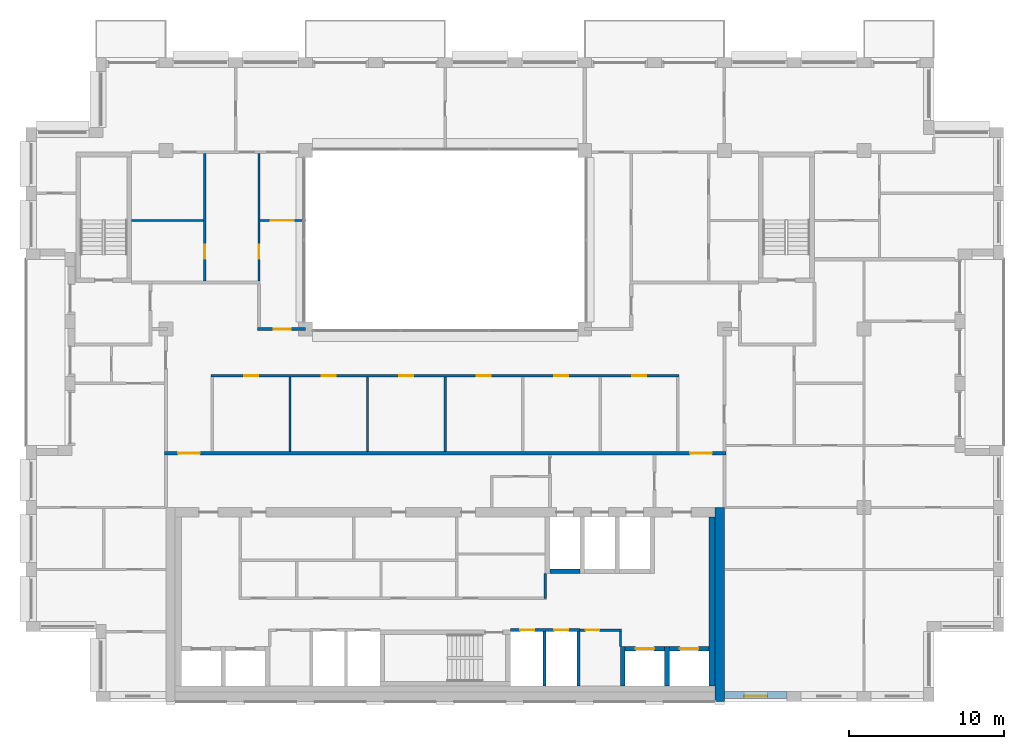
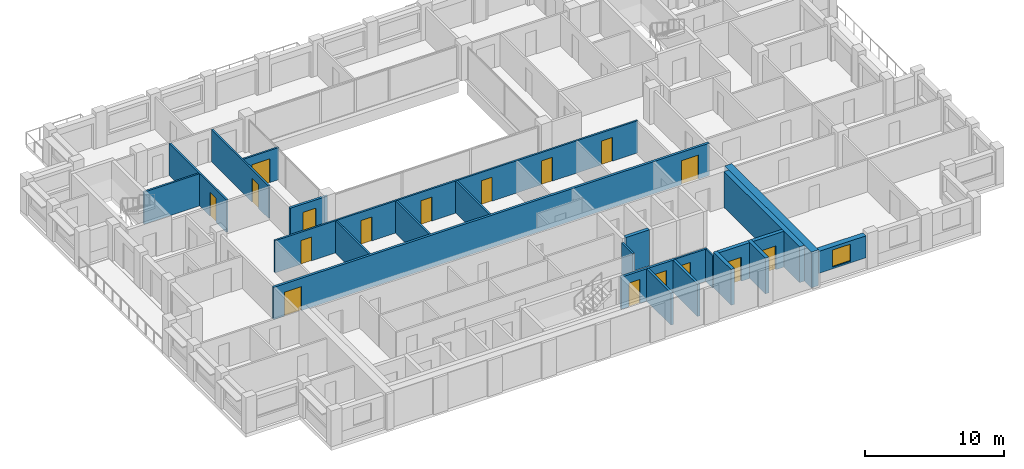
# One storey, part 10 of 15: 24 walls, 17 doors, 1 window, 18 openings.
"""IFC4 building model written with IfcOpenShell, lengths in metres."""

from ifc_helpers import new_model, si_unit, direction, frame, frame_2d, origin, place, context, subcontext, project, spatial, rectangle, extrude, material, layer, layer_set, type_object, element, fill, save


model = new_model("IFC4")

# Units and contexts
model_context = context("Model", 3, precision=1e-05, world=origin(), true_north=direction((0.0, 1.0)))
body_context = subcontext(model_context, "Body", "Model", "MODEL_VIEW")
ifc_project = project(units=[si_unit("LENGTHUNIT", "METRE"), si_unit("AREAUNIT", "SQUARE_METRE"), si_unit("VOLUMEUNIT", "CUBIC_METRE"), si_unit("PLANEANGLEUNIT", "RADIAN"), si_unit("MASSUNIT", "GRAM", prefix="KILO")], contexts=[model_context])

# Site, building, storey
site_placement = place(None, origin())
site = spatial("IfcSite", under=ifc_project, at=site_placement, CompositionType="ELEMENT")
building_placement = place(site_placement, origin())
building = spatial("IfcBuilding", under=site, at=building_placement, Name="Brigalow Station Residences", CompositionType="ELEMENT")
storey_placement = place(building_placement, frame((0.0, 0.0, 213.75)))
storey = spatial("IfcBuildingStorey", under=building, at=storey_placement, Name="L61", CompositionType="ELEMENT", Elevation=213.75)

# Wall, opening, window
ifc_material_1 = material(Name="Clay brick masonry", Category="masonry")
ifc_layer_1 = layer(ifc_material_1, 0.449951171875)
ifc_layer_set_1 = layer_set([ifc_layer_1], Name="BRICK INFILL WALL 450")
wall_type_1 = type_object("IfcWallType", Name="BRICK INFILL WALL 450", PredefinedType="SOLIDWALL", material=ifc_layer_set_1)
wall_1_placement = place(storey_placement, frame((54.0, 0.425048828125, 0.89990234375), z_axis=(0.0, 0.0, 1.0), x_axis=(1.0, 0.0, 0.0)))
wall_1 = element("IfcWall", 1, at=wall_1_placement, inside=storey, type_object=wall_type_1, Name="L61/ewall/W-L61-3", PredefinedType="SOLIDWALL", context=body_context, shape_type="SweptSolid", body=[
    extrude(rectangle(XDim=4.050048828125, YDim=0.449951171875, at=frame_2d((2.02490234375, 0.0))), origin(), (0.0, 0.0, 1.0), 1.93017578125),
])
opening_1_placement = place(wall_1_placement, frame((1.27490234375, 0.0, 0.14990234375)))
opening_1 = element("IfcOpeningElement", 2, at=opening_1_placement, cuts=wall_1, Name="Opening WT-1", PredefinedType="OPENING", context=body_context, shape_type="SweptSolid", body=[
    extrude(rectangle(XDim=1.5, YDim=1.5, at=frame_2d((0.75, 0.75))), frame((0.0, 0.23486328125, 0.0), z_axis=(0.0, -1.0, 0.0), x_axis=(1.0, 0.0, 0.0)), (0.0, 0.0, 1.0), 0.469970703125),
])
ifc_material_2 = material(Name="Anodised aluminium frame with double glazing", Category="aluminium")
window_type = type_object("IfcWindowType", Name="WINDOW 1500x1500", PartitioningType="SINGLE_PANEL", PredefinedType="WINDOW", material=ifc_material_2)
window_placement = place(opening_1_placement, origin())
window = element("IfcWindow", 3, at=window_placement, inside=storey, type_object=window_type, Name="L61/window/W-L61-3", OverallHeight=1.5, OverallWidth=1.5, PartitioningType="SINGLE_PANEL", PredefinedType="WINDOW", context=body_context, shape_type="SweptSolid", body=[
    extrude(rectangle(XDim=1.5, YDim=1.5, at=frame_2d((0.75, 0.75))), frame((0.0, -0.06494140625, 0.0), z_axis=(0.0, -1.0, 0.0), x_axis=(1.0, 0.0, 0.0)), (0.0, 0.0, 1.0), 0.06005859375),
])
fill(opening_1, window)

# Wall
ifc_material_3 = material(Name="Concrete C50", Category="concrete")
ifc_layer_2 = layer(ifc_material_3, 0.300048828125)
ifc_layer_set_2 = layer_set([ifc_layer_2], Name="CORE SHEAR WALL 300 C50")
wall_type_2 = type_object("IfcWallType", Name="CORE SHEAR WALL 300 C50", PredefinedType="SHEAR", material=ifc_layer_set_2)
wall_2_placement = place(storey_placement, frame((42.75, 8.39990234375, 0.0), z_axis=(0.0, 0.0, 1.0), x_axis=(1.0, 0.0, 0.0)))
element("IfcWall", 4, at=wall_2_placement, inside=storey, type_object=wall_type_2, Name="CORE WALL SH-FF1-S L61", PredefinedType="SHEAR", context=body_context, shape_type="SweptSolid", body=[
    extrude(rectangle(XDim=1.949951171875, YDim=0.300048828125, at=frame_2d((0.97509765625, 0.0))), origin(), (0.0, 0.0, 1.0), 3.14990234375),
])

# Wall, opening, door
wall_3_placement = place(storey_placement, frame((47.60009765625, 3.39990234375, 0.0), z_axis=(0.0, 0.0, 1.0), x_axis=(1.0, 0.0, 0.0)))
wall_3 = element("IfcWall", 5, at=wall_3_placement, inside=storey, type_object=wall_type_2, Name="CORE WALL SH-C3-N L61", PredefinedType="SHEAR", context=body_context, shape_type="SweptSolid", body=[
    extrude(rectangle(XDim=2.5498046875, YDim=0.300048828125, at=frame_2d((1.27490234375, 0.0))), origin(), (0.0, 0.0, 1.0), 3.14990234375),
])
opening_2_placement = place(wall_3_placement, frame((0.675048828125, 0.0, 0.0)))
opening_2 = element("IfcOpeningElement", 6, at=opening_2_placement, cuts=wall_3, Name="Opening LD-LB3", PredefinedType="OPENING", context=body_context, shape_type="SweptSolid", body=[
    extrude(rectangle(XDim=1.199951171875, YDim=2.10009765625, at=frame_2d((0.60009765625, 1.050048828125))), frame((0.0, 0.16015625, 0.0), z_axis=(0.0, -1.0, 0.0), x_axis=(1.0, 0.0, 0.0)), (0.0, 0.0, 1.0), 0.320068359375),
])
ifc_material_4 = material(Name="Stainless steel sliding door leaves", Category="steel")
door_type_1 = type_object("IfcDoorType", Name="LIFT LANDING DOOR 1200 x 2100", OperationType="DOUBLE_DOOR_SLIDING", PredefinedType="DOOR", material=ifc_material_4)
door_1_placement = place(opening_2_placement, origin())
door_1 = element("IfcDoor", 7, at=door_1_placement, inside=storey, type_object=door_type_1, Name="LANDING DOOR LB3", OperationType="DOUBLE_DOOR_SLIDING", OverallHeight=2.10009765625, OverallWidth=1.199951171875, PredefinedType="DOOR", context=body_context, shape_type="SweptSolid", body=[
    extrude(rectangle(XDim=1.199951171875, YDim=2.10009765625, at=frame_2d((0.60009765625, 1.050048828125))), frame((0.0, 0.02490234375, 0.0), z_axis=(0.0, -1.0, 0.0), x_axis=(1.0, 0.0, 0.0)), (0.0, 0.0, 1.0), 0.050048828125),
])
fill(opening_2, door_1)

# Wall
wall_4_placement = place(storey_placement, frame((47.449951171875, 1.0, 0.0), z_axis=(0.0, 0.0, 1.0), x_axis=(0.0, 1.0, 0.0)))
element("IfcWall", 8, at=wall_4_placement, inside=storey, type_object=wall_type_2, Name="CORE WALL SH-C3-W L61", PredefinedType="SHEAR", context=body_context, shape_type="SweptSolid", body=[
    extrude(rectangle(XDim=2.550048828125, YDim=0.300048828125, at=frame_2d((1.27490234375, 0.0))), origin(), (0.0, 0.0, 1.0), 3.14990234375),
])

# Wall, opening, door
wall_5_placement = place(storey_placement, frame((50.449951171875, 3.39990234375, 0.0), z_axis=(0.0, 0.0, 1.0), x_axis=(1.0, 0.0, 0.0)))
wall_5 = element("IfcWall", 9, at=wall_5_placement, inside=storey, type_object=wall_type_2, Name="CORE WALL SH-C4-N L61", PredefinedType="SHEAR", context=body_context, shape_type="SweptSolid", body=[
    extrude(rectangle(XDim=2.550048828125, YDim=0.300048828125, at=frame_2d((1.27490234375, 0.0))), origin(), (0.0, 0.0, 1.0), 3.14990234375),
])
opening_3_placement = place(wall_5_placement, frame((0.675048828125, 0.0, 0.0)))
opening_3 = element("IfcOpeningElement", 10, at=opening_3_placement, cuts=wall_5, Name="Opening LD-LB4", PredefinedType="OPENING", context=body_context, shape_type="SweptSolid", body=[
    extrude(rectangle(XDim=1.199951171875, YDim=2.10009765625, at=frame_2d((0.60009765625, 1.050048828125))), frame((0.0, 0.16015625, 0.0), z_axis=(0.0, -1.0, 0.0), x_axis=(1.0, 0.0, 0.0)), (0.0, 0.0, 1.0), 0.320068359375),
])
door_2_placement = place(opening_3_placement, origin())
door_2 = element("IfcDoor", 11, at=door_2_placement, inside=storey, type_object=door_type_1, Name="LANDING DOOR LB4", OperationType="DOUBLE_DOOR_SLIDING", OverallHeight=2.10009765625, OverallWidth=1.199951171875, PredefinedType="DOOR", context=body_context, shape_type="SweptSolid", body=[
    extrude(rectangle(XDim=1.199951171875, YDim=2.10009765625, at=frame_2d((0.60009765625, 1.050048828125))), frame((0.0, 0.02490234375, 0.0), z_axis=(0.0, -1.0, 0.0), x_axis=(1.0, 0.0, 0.0)), (0.0, 0.0, 1.0), 0.050048828125),
])
fill(opening_3, door_2)

# Walls
wall_6_placement = place(storey_placement, frame((50.300048828125, 1.0, 0.0), z_axis=(0.0, 0.0, 1.0), x_axis=(0.0, 1.0, 0.0)))
element("IfcWall", 12, at=wall_6_placement, inside=storey, type_object=wall_type_2, Name="CORE WALL SH-C4-W L61", PredefinedType="SHEAR", context=body_context, shape_type="SweptSolid", body=[
    extrude(rectangle(XDim=2.550048828125, YDim=0.300048828125, at=frame_2d((1.27490234375, 0.0))), origin(), (0.0, 0.0, 1.0), 3.14990234375),
])
ifc_material_5 = material(Name="Concrete C50", Category="concrete")
ifc_layer_3 = layer(ifc_material_5, 0.39990234375)
ifc_layer_set_3 = layer_set([ifc_layer_3], Name="CORE SHEAR WALL 400 C50")
wall_type_3 = type_object("IfcWallType", Name="CORE SHEAR WALL 400 C50", PredefinedType="SHEAR", material=ifc_layer_set_3)
wall_7_placement = place(storey_placement, frame((53.199951171875, 1.0, 0.0), z_axis=(0.0, 0.0, 1.0), x_axis=(0.0, 1.0, 0.0)))
element("IfcWall", 13, at=wall_7_placement, inside=storey, type_object=wall_type_3, Name="CORE WALL LIN-E L61", PredefinedType="SHEAR", context=body_context, shape_type="SweptSolid", body=[
    extrude(rectangle(XDim=10.89990234375, YDim=0.39990234375, at=frame_2d((5.449951171875, 0.0))), origin(), (0.0, 0.0, 1.0), 3.14990234375),
])
ifc_material_6 = material(Name="Concrete C50", Category="concrete")
ifc_layer_4 = layer(ifc_material_6, 0.60009765625)
ifc_layer_set_4 = layer_set([ifc_layer_4], Name="CORE SHEAR WALL 600 C50")
wall_type_4 = type_object("IfcWallType", Name="CORE SHEAR WALL 600 C50", PredefinedType="SHEAR", material=ifc_layer_set_4)
wall_8_placement = place(storey_placement, frame((53.699951171875, 0.0, 0.0), z_axis=(0.0, 0.0, 1.0), x_axis=(0.0, 1.0, 0.0)))
element("IfcWall", 14, at=wall_8_placement, inside=storey, type_object=wall_type_4, Name="CORE WALL OUT-E L61", PredefinedType="SHEAR", context=body_context, shape_type="SweptSolid", body=[
    extrude(rectangle(XDim=12.5, YDim=0.60009765625, at=frame_2d((6.25, 0.0))), origin(), (0.0, 0.0, 1.0), 3.14990234375),
])

# Wall, openings, doors
ifc_material_7 = material(Name="Concrete blockwork", Category="masonry")
ifc_layer_5 = layer(ifc_material_7, 0.199951171875)
ifc_layer_set_5 = layer_set([ifc_layer_5], Name="FIRE RATED CORE PARTITION 200")
wall_type_5 = type_object("IfcWallType", Name="FIRE RATED CORE PARTITION 200", PredefinedType="PARTITIONING", material=ifc_layer_set_5)
wall_9_placement = place(storey_placement, frame((40.199951171875, 4.60009765625, 0.0), z_axis=(0.0, 0.0, 1.0), x_axis=(1.0, 0.0, 0.0)))
wall_9 = element("IfcWall", 15, at=wall_9_placement, inside=storey, type_object=wall_type_5, Name="PW-5018", PredefinedType="PARTITIONING", context=body_context, shape_type="SweptSolid", body=[
    extrude(rectangle(XDim=4.5, YDim=0.199951171875, at=frame_2d((2.25, 0.0))), origin(), (0.0, 0.0, 1.0), 2.830078125),
])
opening_4_placement = place(wall_9_placement, frame((0.64990234375, 0.0, 0.0)))
opening_4 = element("IfcOpeningElement", 16, at=opening_4_placement, cuts=wall_9, Name="Opening D-5009", PredefinedType="OPENING", context=body_context, shape_type="SweptSolid", body=[
    extrude(rectangle(XDim=0.89990234375, YDim=2.10009765625, at=frame_2d((0.449951171875, 1.050048828125))), frame((0.0, 0.10986328125, 0.0), z_axis=(0.0, -1.0, 0.0), x_axis=(1.0, 0.0, 0.0)), (0.0, 0.0, 1.0), 0.219970703125),
])
opening_5_placement = place(wall_9_placement, frame((2.85009765625, 0.0, 0.0)))
opening_5 = element("IfcOpeningElement", 17, at=opening_5_placement, cuts=wall_9, Name="Opening D-5010", PredefinedType="OPENING", context=body_context, shape_type="SweptSolid", body=[
    extrude(rectangle(XDim=0.89990234375, YDim=2.10009765625, at=frame_2d((0.449951171875, 1.050048828125))), frame((0.0, 0.10986328125, 0.0), z_axis=(0.0, -1.0, 0.0), x_axis=(1.0, 0.0, 0.0)), (0.0, 0.0, 1.0), 0.219970703125),
])
ifc_material_8 = material(Name="Steel fire door leaf in steel frame", Category="steel")
door_type_2 = type_object("IfcDoorType", Name="RISER ACCESS DOOR 900 x 2100 FD120", OperationType="SINGLE_SWING_LEFT", PredefinedType="DOOR", material=ifc_material_8)
door_3_placement = place(opening_4_placement, frame((0.89990234375, 0.0, 0.0), z_axis=(0.0, 0.0, 1.0), x_axis=(-1.0, 0.0, 0.0)))
door_3 = element("IfcDoor", 18, at=door_3_placement, inside=storey, type_object=door_type_2, Name="D-5009", OperationType="SINGLE_SWING_LEFT", OverallHeight=2.10009765625, OverallWidth=0.89990234375, PredefinedType="DOOR", context=body_context, shape_type="SweptSolid", body=[
    extrude(rectangle(XDim=0.89990234375, YDim=2.10009765625, at=frame_2d((0.449951171875, 1.050048828125))), frame((0.0, 0.02490234375, 0.0), z_axis=(0.0, -1.0, 0.0), x_axis=(1.0, 0.0, 0.0)), (0.0, 0.0, 1.0), 0.050048828125),
])
fill(opening_4, door_3)
door_4_placement = place(opening_5_placement, frame((0.89990234375, 0.0, 0.0), z_axis=(0.0, 0.0, 1.0), x_axis=(-1.0, 0.0, 0.0)))
door_4 = element("IfcDoor", 19, at=door_4_placement, inside=storey, type_object=door_type_2, Name="D-5010", OperationType="SINGLE_SWING_LEFT", OverallHeight=2.10009765625, OverallWidth=0.89990234375, PredefinedType="DOOR", context=body_context, shape_type="SweptSolid", body=[
    extrude(rectangle(XDim=0.89990234375, YDim=2.10009765625, at=frame_2d((0.449951171875, 1.050048828125))), frame((0.0, 0.02490234375, 0.0), z_axis=(0.0, -1.0, 0.0), x_axis=(1.0, 0.0, 0.0)), (0.0, 0.0, 1.0), 0.050048828125),
])
fill(opening_5, door_4)

# Walls
for number, where, z_axis, x_axis, name in (
    (20, (42.39990234375, 1.0, 0.0), (0.0, 0.0, 1.0), (0.0, 1.0, 0.0), "PW-5007"),
    (21, (44.60009765625, 1.0, 0.0), (0.0, 0.0, 1.0), (0.0, 1.0, 0.0), "PW-5008"),
):
    element("IfcWall", number, at=place(storey_placement, frame(where, z_axis=z_axis, x_axis=x_axis)), inside=storey, type_object=wall_type_5, Name=name, PredefinedType="PARTITIONING", context=body_context, shape_type="SweptSolid", body=[
        extrude(rectangle(XDim=3.5, YDim=0.199951171875, at=frame_2d((1.75, 0.0))), origin(), (0.0, 0.0, 1.0), 2.830078125),
    ])

# Wall, openings, doors
ifc_material_9 = material(Name="Plasterboard on steel stud partition", Category="steel")
ifc_layer_6 = layer(ifc_material_9, 0.14990234375)
ifc_layer_set_6 = layer_set([ifc_layer_6], Name="FLAT PARTITION 150")
wall_type_6 = type_object("IfcWallType", Name="FLAT PARTITION 150", PredefinedType="PARTITIONING", material=ifc_layer_set_6)
wall_10_placement = place(storey_placement, frame((20.925048828125, 21.0, 0.0), z_axis=(0.0, 0.0, 1.0), x_axis=(1.0, 0.0, 0.0)))
wall_10 = element("IfcWall", 22, at=wall_10_placement, inside=storey, type_object=wall_type_6, Name="PW-4B05", PredefinedType="PARTITIONING", context=body_context, shape_type="SweptSolid", body=[
    extrude(rectangle(XDim=30.14990234375, YDim=0.14990234375, at=frame_2d((15.074951171875, 0.0))), origin(), (0.0, 0.0, 1.0), 2.830078125),
])
opening_6_placement = place(wall_10_placement, frame((2.125, 0.0, 0.0)))
opening_6 = element("IfcOpeningElement", 23, at=opening_6_placement, cuts=wall_10, Name="Opening D-4B42", PredefinedType="OPENING", context=body_context, shape_type="SweptSolid", body=[
    extrude(rectangle(XDim=0.89990234375, YDim=2.10009765625, at=frame_2d((0.449951171875, 1.050048828125))), frame((0.0, 0.0849609375, 0.0), z_axis=(0.0, -1.0, 0.0), x_axis=(1.0, 0.0, 0.0)), (0.0, 0.0, 1.0), 0.169921875),
])
opening_7_placement = place(wall_10_placement, frame((7.125, 0.0, 0.0)))
opening_7 = element("IfcOpeningElement", 24, at=opening_7_placement, cuts=wall_10, Name="Opening D-4B43", PredefinedType="OPENING", context=body_context, shape_type="SweptSolid", body=[
    extrude(rectangle(XDim=0.89990234375, YDim=2.10009765625, at=frame_2d((0.449951171875, 1.050048828125))), frame((0.0, 0.0849609375, 0.0), z_axis=(0.0, -1.0, 0.0), x_axis=(1.0, 0.0, 0.0)), (0.0, 0.0, 1.0), 0.169921875),
])
opening_8_placement = place(wall_10_placement, frame((12.125, 0.0, 0.0)))
opening_8 = element("IfcOpeningElement", 25, at=opening_8_placement, cuts=wall_10, Name="Opening D-4B44", PredefinedType="OPENING", context=body_context, shape_type="SweptSolid", body=[
    extrude(rectangle(XDim=0.89990234375, YDim=2.10009765625, at=frame_2d((0.449951171875, 1.050048828125))), frame((0.0, 0.0849609375, 0.0), z_axis=(0.0, -1.0, 0.0), x_axis=(1.0, 0.0, 0.0)), (0.0, 0.0, 1.0), 0.169921875),
])
opening_9_placement = place(wall_10_placement, frame((17.125, 0.0, 0.0)))
opening_9 = element("IfcOpeningElement", 26, at=opening_9_placement, cuts=wall_10, Name="Opening D-4B45", PredefinedType="OPENING", context=body_context, shape_type="SweptSolid", body=[
    extrude(rectangle(XDim=0.89990234375, YDim=2.10009765625, at=frame_2d((0.449951171875, 1.050048828125))), frame((0.0, 0.0849609375, 0.0), z_axis=(0.0, -1.0, 0.0), x_axis=(1.0, 0.0, 0.0)), (0.0, 0.0, 1.0), 0.169921875),
])
opening_10_placement = place(wall_10_placement, frame((22.125, 0.0, 0.0)))
opening_10 = element("IfcOpeningElement", 27, at=opening_10_placement, cuts=wall_10, Name="Opening D-4B46", PredefinedType="OPENING", context=body_context, shape_type="SweptSolid", body=[
    extrude(rectangle(XDim=0.89990234375, YDim=2.10009765625, at=frame_2d((0.449951171875, 1.050048828125))), frame((0.0, 0.0849609375, 0.0), z_axis=(0.0, -1.0, 0.0), x_axis=(1.0, 0.0, 0.0)), (0.0, 0.0, 1.0), 0.169921875),
])
opening_11_placement = place(wall_10_placement, frame((27.125, 0.0, 0.0)))
opening_11 = element("IfcOpeningElement", 28, at=opening_11_placement, cuts=wall_10, Name="Opening D-4B47", PredefinedType="OPENING", context=body_context, shape_type="SweptSolid", body=[
    extrude(rectangle(XDim=0.89990234375, YDim=2.10009765625, at=frame_2d((0.449951171875, 1.050048828125))), frame((0.0, 0.0849609375, 0.0), z_axis=(0.0, -1.0, 0.0), x_axis=(1.0, 0.0, 0.0)), (0.0, 0.0, 1.0), 0.169921875),
])
ifc_material_10 = material(Name="Solid-core timber door leaf", Category="wood")
door_type_3 = type_object("IfcDoorType", Name="INTERNAL DOOR 900 x 2100", OperationType="SINGLE_SWING_LEFT", PredefinedType="DOOR", material=ifc_material_10)
door_5_placement = place(opening_6_placement, frame((0.89990234375, 0.0, 0.0), z_axis=(0.0, 0.0, 1.0), x_axis=(-1.0, 0.0, 0.0)))
door_5 = element("IfcDoor", 29, at=door_5_placement, inside=storey, type_object=door_type_3, Name="D-4B42", OperationType="SINGLE_SWING_LEFT", OverallHeight=2.10009765625, OverallWidth=0.89990234375, PredefinedType="DOOR", context=body_context, shape_type="SweptSolid", body=[
    extrude(rectangle(XDim=0.89990234375, YDim=2.10009765625, at=frame_2d((0.449951171875, 1.050048828125))), frame((0.0, 0.02490234375, 0.0), z_axis=(0.0, -1.0, 0.0), x_axis=(1.0, 0.0, 0.0)), (0.0, 0.0, 1.0), 0.050048828125),
])
fill(opening_6, door_5)
door_6_placement = place(opening_7_placement, frame((0.89990234375, 0.0, 0.0), z_axis=(0.0, 0.0, 1.0), x_axis=(-1.0, 0.0, 0.0)))
door_6 = element("IfcDoor", 30, at=door_6_placement, inside=storey, type_object=door_type_3, Name="D-4B43", OperationType="SINGLE_SWING_LEFT", OverallHeight=2.10009765625, OverallWidth=0.89990234375, PredefinedType="DOOR", context=body_context, shape_type="SweptSolid", body=[
    extrude(rectangle(XDim=0.89990234375, YDim=2.10009765625, at=frame_2d((0.449951171875, 1.050048828125))), frame((0.0, 0.02490234375, 0.0), z_axis=(0.0, -1.0, 0.0), x_axis=(1.0, 0.0, 0.0)), (0.0, 0.0, 1.0), 0.050048828125),
])
fill(opening_7, door_6)
door_7_placement = place(opening_8_placement, frame((0.89990234375, 0.0, 0.0), z_axis=(0.0, 0.0, 1.0), x_axis=(-1.0, 0.0, 0.0)))
door_7 = element("IfcDoor", 31, at=door_7_placement, inside=storey, type_object=door_type_3, Name="D-4B44", OperationType="SINGLE_SWING_LEFT", OverallHeight=2.10009765625, OverallWidth=0.89990234375, PredefinedType="DOOR", context=body_context, shape_type="SweptSolid", body=[
    extrude(rectangle(XDim=0.89990234375, YDim=2.10009765625, at=frame_2d((0.449951171875, 1.050048828125))), frame((0.0, 0.02490234375, 0.0), z_axis=(0.0, -1.0, 0.0), x_axis=(1.0, 0.0, 0.0)), (0.0, 0.0, 1.0), 0.050048828125),
])
fill(opening_8, door_7)
door_8_placement = place(opening_9_placement, frame((0.89990234375, 0.0, 0.0), z_axis=(0.0, 0.0, 1.0), x_axis=(-1.0, 0.0, 0.0)))
door_8 = element("IfcDoor", 32, at=door_8_placement, inside=storey, type_object=door_type_3, Name="D-4B45", OperationType="SINGLE_SWING_RIGHT", OverallHeight=2.10009765625, OverallWidth=0.89990234375, PredefinedType="DOOR", context=body_context, shape_type="SweptSolid", body=[
    extrude(rectangle(XDim=0.89990234375, YDim=2.10009765625, at=frame_2d((0.449951171875, 1.050048828125))), frame((0.0, 0.02490234375, 0.0), z_axis=(0.0, -1.0, 0.0), x_axis=(1.0, 0.0, 0.0)), (0.0, 0.0, 1.0), 0.050048828125),
])
fill(opening_9, door_8)
door_9_placement = place(opening_10_placement, frame((0.89990234375, 0.0, 0.0), z_axis=(0.0, 0.0, 1.0), x_axis=(-1.0, 0.0, 0.0)))
door_9 = element("IfcDoor", 33, at=door_9_placement, inside=storey, type_object=door_type_3, Name="D-4B46", OperationType="SINGLE_SWING_RIGHT", OverallHeight=2.10009765625, OverallWidth=0.89990234375, PredefinedType="DOOR", context=body_context, shape_type="SweptSolid", body=[
    extrude(rectangle(XDim=0.89990234375, YDim=2.10009765625, at=frame_2d((0.449951171875, 1.050048828125))), frame((0.0, 0.02490234375, 0.0), z_axis=(0.0, -1.0, 0.0), x_axis=(1.0, 0.0, 0.0)), (0.0, 0.0, 1.0), 0.050048828125),
])
fill(opening_10, door_9)
door_10_placement = place(opening_11_placement, frame((0.89990234375, 0.0, 0.0), z_axis=(0.0, 0.0, 1.0), x_axis=(-1.0, 0.0, 0.0)))
door_10 = element("IfcDoor", 34, at=door_10_placement, inside=storey, type_object=door_type_3, Name="D-4B47", OperationType="SINGLE_SWING_RIGHT", OverallHeight=2.10009765625, OverallWidth=0.89990234375, PredefinedType="DOOR", context=body_context, shape_type="SweptSolid", body=[
    extrude(rectangle(XDim=0.89990234375, YDim=2.10009765625, at=frame_2d((0.449951171875, 1.050048828125))), frame((0.0, 0.02490234375, 0.0), z_axis=(0.0, -1.0, 0.0), x_axis=(1.0, 0.0, 0.0)), (0.0, 0.0, 1.0), 0.050048828125),
])
fill(opening_11, door_10)

# Wall
wall_11_placement = place(storey_placement, frame((15.800048828125, 31.0, 0.0), z_axis=(0.0, 0.0, 1.0), x_axis=(1.0, 0.0, 0.0)))
element("IfcWall", 35, at=wall_11_placement, inside=storey, type_object=wall_type_6, Name="PW-4B15", PredefinedType="PARTITIONING", context=body_context, shape_type="SweptSolid", body=[
    extrude(rectangle(XDim=4.625, YDim=0.14990234375, at=frame_2d((2.3125, 0.0))), origin(), (0.0, 0.0, 1.0), 2.830078125),
])

# Wall, opening, door
wall_12_placement = place(storey_placement, frame((24.074951171875, 31.0, 0.0), z_axis=(0.0, 0.0, 1.0), x_axis=(1.0, 0.0, 0.0)))
wall_12 = element("IfcWall", 36, at=wall_12_placement, inside=storey, type_object=wall_type_6, Name="PW-4B16", PredefinedType="PARTITIONING", context=body_context, shape_type="SweptSolid", body=[
    extrude(rectangle(XDim=2.925048828125, YDim=0.14990234375, at=frame_2d((1.46240234375, 0.0))), origin(), (0.0, 0.0, 1.0), 2.830078125),
])
opening_12_placement = place(wall_12_placement, frame((0.675048828125, 0.0, 0.0)))
opening_12 = element("IfcOpeningElement", 37, at=opening_12_placement, cuts=wall_12, Name="Opening D-4B11", PredefinedType="OPENING", context=body_context, shape_type="SweptSolid", body=[
    extrude(rectangle(XDim=1.5, YDim=2.10009765625, at=frame_2d((0.75, 1.050048828125))), frame((0.0, 0.0849609375, 0.0), z_axis=(0.0, -1.0, 0.0), x_axis=(1.0, 0.0, 0.0)), (0.0, 0.0, 1.0), 0.169921875),
])
ifc_material_11 = material(Name="Solid-core timber door leaf", Category="wood")
door_type_4 = type_object("IfcDoorType", Name="INTERNAL DOUBLE DOOR 1500 x 2100", OperationType="DOUBLE_DOOR_SINGLE_SWING", PredefinedType="DOOR", material=ifc_material_11)
door_11_placement = place(opening_12_placement, frame((1.5, 0.0, 0.0), z_axis=(0.0, 0.0, 1.0), x_axis=(-1.0, 0.0, 0.0)))
door_11 = element("IfcDoor", 38, at=door_11_placement, inside=storey, type_object=door_type_4, Name="D-4B11", OperationType="DOUBLE_DOOR_SINGLE_SWING", OverallHeight=2.10009765625, OverallWidth=1.5, PredefinedType="DOOR", context=body_context, shape_type="SweptSolid", body=[
    extrude(rectangle(XDim=1.5, YDim=2.10009765625, at=frame_2d((0.75, 1.050048828125))), frame((0.0, 0.02490234375, 0.0), z_axis=(0.0, -1.0, 0.0), x_axis=(1.0, 0.0, 0.0)), (0.0, 0.0, 1.0), 0.050048828125),
])
fill(opening_12, door_11)

wall_13_placement = place(storey_placement, frame((24.0, 27.10009765625, 0.0), z_axis=(0.0, 0.0, 1.0), x_axis=(0.0, 1.0, 0.0)))
wall_13 = element("IfcWall", 39, at=wall_13_placement, inside=storey, type_object=wall_type_6, Name="PW-4B33", PredefinedType="PARTITIONING", context=body_context, shape_type="SweptSolid", body=[
    extrude(rectangle(XDim=8.224853515625, YDim=0.14990234375, at=frame_2d((4.1123046875, 0.0))), origin(), (0.0, 0.0, 1.0), 2.830078125),
])
opening_13_placement = place(wall_13_placement, frame((1.449951171875, 0.0, 0.0)))
opening_13 = element("IfcOpeningElement", 40, at=opening_13_placement, cuts=wall_13, Name="Opening D-4B12", PredefinedType="OPENING", context=body_context, shape_type="SweptSolid", body=[
    extrude(rectangle(XDim=0.89990234375, YDim=2.10009765625, at=frame_2d((0.449951171875, 1.050048828125))), frame((0.0, 0.0849609375, 0.0), z_axis=(0.0, -1.0, 0.0), x_axis=(1.0, 0.0, 0.0)), (0.0, 0.0, 1.0), 0.169921875),
])
door_12_placement = place(opening_13_placement, frame((0.89990234375, 0.0, 0.0), z_axis=(0.0, 0.0, 1.0), x_axis=(-1.0, 0.0, 0.0)))
door_12 = element("IfcDoor", 41, at=door_12_placement, inside=storey, type_object=door_type_3, Name="D-4B12", OperationType="SINGLE_SWING_LEFT", OverallHeight=2.10009765625, OverallWidth=0.89990234375, PredefinedType="DOOR", context=body_context, shape_type="SweptSolid", body=[
    extrude(rectangle(XDim=0.89990234375, YDim=2.10009765625, at=frame_2d((0.449951171875, 1.050048828125))), frame((0.0, 0.02490234375, 0.0), z_axis=(0.0, -1.0, 0.0), x_axis=(1.0, 0.0, 0.0)), (0.0, 0.0, 1.0), 0.050048828125),
])
fill(opening_13, door_12)

wall_14_placement = place(storey_placement, frame((20.5, 27.10009765625, 0.0), z_axis=(0.0, 0.0, 1.0), x_axis=(0.0, 1.0, 0.0)))
wall_14 = element("IfcWall", 42, at=wall_14_placement, inside=storey, type_object=wall_type_6, Name="PW-4B39", PredefinedType="PARTITIONING", context=body_context, shape_type="SweptSolid", body=[
    extrude(rectangle(XDim=8.224853515625, YDim=0.14990234375, at=frame_2d((4.1123046875, 0.0))), origin(), (0.0, 0.0, 1.0), 2.830078125),
])
opening_14_placement = place(wall_14_placement, frame((1.449951171875, 0.0, 0.0)))
opening_14 = element("IfcOpeningElement", 43, at=opening_14_placement, cuts=wall_14, Name="Opening D-4B13", PredefinedType="OPENING", context=body_context, shape_type="SweptSolid", body=[
    extrude(rectangle(XDim=0.89990234375, YDim=2.10009765625, at=frame_2d((0.449951171875, 1.050048828125))), frame((0.0, 0.0849609375, 0.0), z_axis=(0.0, -1.0, 0.0), x_axis=(1.0, 0.0, 0.0)), (0.0, 0.0, 1.0), 0.169921875),
])
door_13_placement = place(opening_14_placement, origin())
door_13 = element("IfcDoor", 44, at=door_13_placement, inside=storey, type_object=door_type_3, Name="D-4B13", OperationType="SINGLE_SWING_LEFT", OverallHeight=2.10009765625, OverallWidth=0.89990234375, PredefinedType="DOOR", context=body_context, shape_type="SweptSolid", body=[
    extrude(rectangle(XDim=0.89990234375, YDim=2.10009765625, at=frame_2d((0.449951171875, 1.050048828125))), frame((0.0, 0.02490234375, 0.0), z_axis=(0.0, -1.0, 0.0), x_axis=(1.0, 0.0, 0.0)), (0.0, 0.0, 1.0), 0.050048828125),
])
fill(opening_14, door_13)

# Walls
for number, where, z_axis, x_axis, name in (
    (45, (36.0, 16.10009765625, 0.0), (0.0, 0.0, 1.0), (0.0, 1.0, 0.0), "PW-4B41"),
    (46, (26.0, 16.10009765625, 0.0), (0.0, 0.0, 1.0), (0.0, 1.0, 0.0), "PW-4B52"),
    (47, (31.0, 16.10009765625, 0.0), (0.0, 0.0, 1.0), (0.0, 1.0, 0.0), "PW-4B53"),
):
    element("IfcWall", number, at=place(storey_placement, frame(where, z_axis=z_axis, x_axis=x_axis)), inside=storey, type_object=wall_type_6, Name=name, PredefinedType="PARTITIONING", context=body_context, shape_type="SweptSolid", body=[
        extrude(rectangle(XDim=4.824951171875, YDim=0.14990234375, at=frame_2d((2.41259765625, 0.0))), origin(), (0.0, 0.0, 1.0), 2.830078125),
    ])

# Wall, opening, door
ifc_material_12 = material(Name="Plasterboard on steel stud partition", Category="steel")
ifc_layer_7 = layer(ifc_material_12, 0.199951171875)
ifc_layer_set_7 = layer_set([ifc_layer_7], Name="PARTY AND CORRIDOR WALL 200")
wall_type_7 = type_object("IfcWallType", Name="PARTY AND CORRIDOR WALL 200", PredefinedType="PARTITIONING", material=ifc_layer_set_7)
wall_15_placement = place(storey_placement, frame((23.89990234375, 24.0, 0.0), z_axis=(0.0, 0.0, 1.0), x_axis=(1.0, 0.0, 0.0)))
wall_15 = element("IfcWall", 48, at=wall_15_placement, inside=storey, type_object=wall_type_7, Name="PW-4B02", PredefinedType="PARTITIONING", context=body_context, shape_type="SweptSolid", body=[
    extrude(rectangle(XDim=3.10009765625, YDim=0.199951171875, at=frame_2d((1.550048828125, 0.0))), origin(), (0.0, 0.0, 1.0), 2.830078125),
])
opening_15_placement = place(wall_15_placement, frame((1.050048828125, 0.0, 0.0)))
opening_15 = element("IfcOpeningElement", 49, at=opening_15_placement, cuts=wall_15, Name="Opening D-4B10", PredefinedType="OPENING", context=body_context, shape_type="SweptSolid", body=[
    extrude(rectangle(XDim=1.10009765625, YDim=2.10009765625, at=frame_2d((0.550048828125, 1.050048828125))), frame((0.0, 0.10986328125, 0.0), z_axis=(0.0, -1.0, 0.0), x_axis=(1.0, 0.0, 0.0)), (0.0, 0.0, 1.0), 0.219970703125),
])
ifc_material_13 = material(Name="Solid-core timber door leaf", Category="wood")
door_type_5 = type_object("IfcDoorType", Name="FLAT ENTRANCE DOOR 1100 x 2100 FRL -/60/30", OperationType="SINGLE_SWING_LEFT", PredefinedType="DOOR", material=ifc_material_13)
door_14_placement = place(opening_15_placement, origin())
door_14 = element("IfcDoor", 50, at=door_14_placement, inside=storey, type_object=door_type_5, Name="D-4B10", OperationType="SINGLE_SWING_LEFT", OverallHeight=2.10009765625, OverallWidth=1.10009765625, PredefinedType="DOOR", context=body_context, shape_type="SweptSolid", body=[
    extrude(rectangle(XDim=1.10009765625, YDim=2.10009765625, at=frame_2d((0.550048828125, 1.050048828125))), frame((0.0, 0.02490234375, 0.0), z_axis=(0.0, -1.0, 0.0), x_axis=(1.0, 0.0, 0.0)), (0.0, 0.0, 1.0), 0.050048828125),
])
fill(opening_15, door_14)

# Wall, openings, doors
wall_16_placement = place(storey_placement, frame((17.89990234375, 16.0, 0.0), z_axis=(0.0, 0.0, 1.0), x_axis=(1.0, 0.0, 0.0)))
wall_16 = element("IfcWall", 51, at=wall_16_placement, inside=storey, type_object=wall_type_7, Name="PW-4B27", PredefinedType="PARTITIONING", context=body_context, shape_type="SweptSolid", body=[
    extrude(rectangle(XDim=36.2001953125, YDim=0.199951171875, at=frame_2d((18.10009765625, 0.0))), origin(), (0.0, 0.0, 1.0), 2.830078125),
])
opening_16_placement = place(wall_16_placement, frame((0.89990234375, 0.0, 0.0)))
opening_16 = element("IfcOpeningElement", 52, at=opening_16_placement, cuts=wall_16, Name="Opening D-4B01", PredefinedType="OPENING", context=body_context, shape_type="SweptSolid", body=[
    extrude(rectangle(XDim=1.39990234375, YDim=2.10009765625, at=frame_2d((0.699951171875, 1.050048828125))), frame((0.0, 0.10986328125, 0.0), z_axis=(0.0, -1.0, 0.0), x_axis=(1.0, 0.0, 0.0)), (0.0, 0.0, 1.0), 0.219970703125),
])
opening_17_placement = place(wall_16_placement, frame((33.89990234375, 0.0, 0.0)))
opening_17 = element("IfcOpeningElement", 53, at=opening_17_placement, cuts=wall_16, Name="Opening D-4B02", PredefinedType="OPENING", context=body_context, shape_type="SweptSolid", body=[
    extrude(rectangle(XDim=1.39990234375, YDim=2.10009765625, at=frame_2d((0.699951171875, 1.050048828125))), frame((0.0, 0.10986328125, 0.0), z_axis=(0.0, -1.0, 0.0), x_axis=(1.0, 0.0, 0.0)), (0.0, 0.0, 1.0), 0.219970703125),
])
ifc_material_14 = material(Name="Solid-core timber door leaf", Category="wood")
door_type_6 = type_object("IfcDoorType", Name="CORRIDOR FIRE DOOR 1400 x 2100 FRL -/60/30", OperationType="DOUBLE_DOOR_SINGLE_SWING", PredefinedType="DOOR", material=ifc_material_14)
door_15_placement = place(opening_16_placement, frame((1.39990234375, 0.0, 0.0), z_axis=(0.0, 0.0, 1.0), x_axis=(-1.0, 0.0, 0.0)))
door_15 = element("IfcDoor", 54, at=door_15_placement, inside=storey, type_object=door_type_6, Name="D-4B01", OperationType="DOUBLE_DOOR_SINGLE_SWING", OverallHeight=2.10009765625, OverallWidth=1.39990234375, PredefinedType="DOOR", context=body_context, shape_type="SweptSolid", body=[
    extrude(rectangle(XDim=1.39990234375, YDim=2.10009765625, at=frame_2d((0.699951171875, 1.050048828125))), frame((0.0, 0.02490234375, 0.0), z_axis=(0.0, -1.0, 0.0), x_axis=(1.0, 0.0, 0.0)), (0.0, 0.0, 1.0), 0.050048828125),
])
fill(opening_16, door_15)
door_16_placement = place(opening_17_placement, frame((1.39990234375, 0.0, 0.0), z_axis=(0.0, 0.0, 1.0), x_axis=(-1.0, 0.0, 0.0)))
door_16 = element("IfcDoor", 55, at=door_16_placement, inside=storey, type_object=door_type_6, Name="D-4B02", OperationType="DOUBLE_DOOR_SINGLE_SWING", OverallHeight=2.10009765625, OverallWidth=1.39990234375, PredefinedType="DOOR", context=body_context, shape_type="SweptSolid", body=[
    extrude(rectangle(XDim=1.39990234375, YDim=2.10009765625, at=frame_2d((0.699951171875, 1.050048828125))), frame((0.0, 0.02490234375, 0.0), z_axis=(0.0, -1.0, 0.0), x_axis=(1.0, 0.0, 0.0)), (0.0, 0.0, 1.0), 0.050048828125),
])
fill(opening_17, door_16)

# Wall, opening, door
ifc_material_15 = material(Name="Plasterboard on steel studs", Category="steel")
ifc_layer_8 = layer(ifc_material_15, 0.14990234375)
ifc_layer_set_8 = layer_set([ifc_layer_8], Name="SERVICE ROOM PARTITION 150")
wall_type_8 = type_object("IfcWallType", Name="SERVICE ROOM PARTITION 150", PredefinedType="PARTITIONING", material=ifc_layer_set_8)
wall_17_placement = place(storey_placement, frame((44.699951171875, 4.60009765625, 0.0), z_axis=(0.0, 0.0, 1.0), x_axis=(1.0, 0.0, 0.0)))
wall_17 = element("IfcWall", 56, at=wall_17_placement, inside=storey, type_object=wall_type_8, Name="PW-5156", PredefinedType="PARTITIONING", context=body_context, shape_type="SweptSolid", body=[
    extrude(rectangle(XDim=2.675048828125, YDim=0.14990234375, at=frame_2d((1.33740234375, 0.0))), origin(), (0.0, 0.0, 1.0), 2.830078125),
])
opening_18_placement = place(wall_17_placement, frame((0.35009765625, 0.0, 0.0)))
opening_18 = element("IfcOpeningElement", 57, at=opening_18_placement, cuts=wall_17, Name="Opening D-5026", PredefinedType="OPENING", context=body_context, shape_type="SweptSolid", body=[
    extrude(rectangle(XDim=0.89990234375, YDim=2.10009765625, at=frame_2d((0.449951171875, 1.050048828125))), frame((0.0, 0.0849609375, 0.0), z_axis=(0.0, -1.0, 0.0), x_axis=(1.0, 0.0, 0.0)), (0.0, 0.0, 1.0), 0.169921875),
])
ifc_material_16 = material(Name="Steel door leaf in steel frame", Category="steel")
door_type_7 = type_object("IfcDoorType", Name="SERVICE ROOM DOOR 900 x 2100 FD60", OperationType="SINGLE_SWING_LEFT", PredefinedType="DOOR", material=ifc_material_16)
door_17_placement = place(opening_18_placement, frame((0.89990234375, 0.0, 0.0), z_axis=(0.0, 0.0, 1.0), x_axis=(-1.0, 0.0, 0.0)))
door_17 = element("IfcDoor", 58, at=door_17_placement, inside=storey, type_object=door_type_7, Name="D-5026", OperationType="SINGLE_SWING_RIGHT", OverallHeight=2.10009765625, OverallWidth=0.89990234375, PredefinedType="DOOR", context=body_context, shape_type="SweptSolid", body=[
    extrude(rectangle(XDim=0.89990234375, YDim=2.10009765625, at=frame_2d((0.449951171875, 1.050048828125))), frame((0.0, 0.02490234375, 0.0), z_axis=(0.0, -1.0, 0.0), x_axis=(1.0, 0.0, 0.0)), (0.0, 0.0, 1.0), 0.050048828125),
])
fill(opening_18, door_17)

# Walls
wall_18_placement = place(storey_placement, frame((47.300048828125, 3.550048828125, 0.0), z_axis=(0.0, 0.0, 1.0), x_axis=(0.0, 1.0, 0.0)))
element("IfcWall", 59, at=wall_18_placement, inside=storey, type_object=wall_type_8, Name="PW-5158", PredefinedType="PARTITIONING", context=body_context, shape_type="SweptSolid", body=[
    extrude(rectangle(XDim=0.974853515625, YDim=0.14990234375, at=frame_2d((0.4873046875, 0.0))), origin(), (0.0, 0.0, 1.0), 2.830078125),
])
wall_19_placement = place(storey_placement, frame((42.449951171875, 6.64990234375, 0.0), z_axis=(0.0, 0.0, 1.0), x_axis=(0.0, 1.0, 0.0)))
element("IfcWall", 60, at=wall_19_placement, inside=storey, type_object=wall_type_8, Name="PW-5029", PredefinedType="PARTITIONING", context=body_context, shape_type="SweptSolid", body=[
    extrude(rectangle(XDim=1.60009765625, YDim=0.14990234375, at=frame_2d((0.800048828125, 0.0))), origin(), (0.0, 0.0, 1.0), 2.830078125),
])

save(model, "model.ifc")
